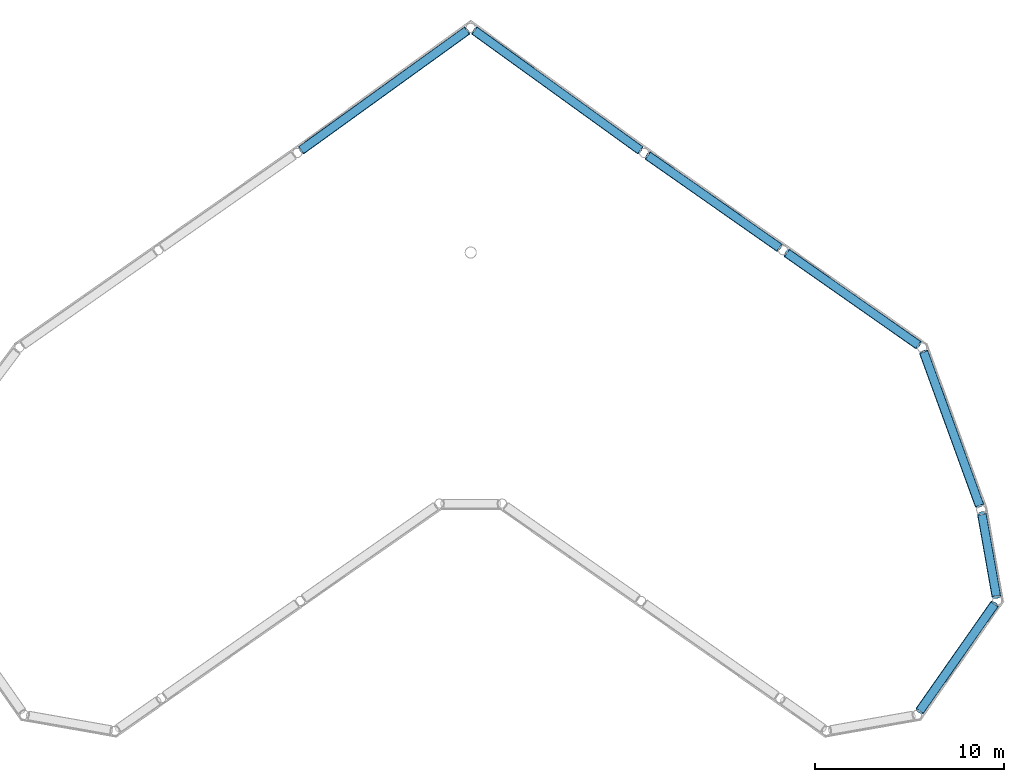
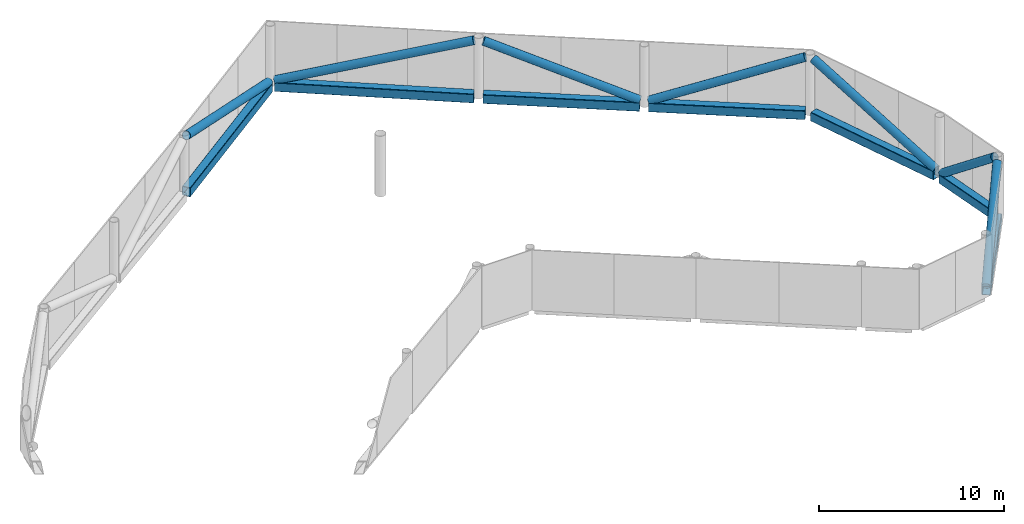
# One storey, part 3 of 4: 7 beams, 7 members.
"""IFC4 building model written with IfcOpenShell, lengths in metres."""

from ifc_helpers import new_model, si_unit, direction, frame, origin, origin_2d, place, context, subcontext, project, spatial, hollow_rectangle, hollow_circle, extrude, material, material_profile, profile_set, type_object, element, save


model = new_model("IFC4")

# Units and contexts
model_context = context("Model", 3, precision=1e-05, world=origin(), true_north=direction((0.0, 1.0)))
body_context = subcontext(model_context, "Body", "Model", "MODEL_VIEW")
ifc_project = project(units=[si_unit("LENGTHUNIT", "METRE"), si_unit("AREAUNIT", "SQUARE_METRE"), si_unit("VOLUMEUNIT", "CUBIC_METRE"), si_unit("PLANEANGLEUNIT", "RADIAN"), si_unit("MASSUNIT", "GRAM", prefix="KILO")], contexts=[model_context])

# Site, building, storey
site_placement = place(None, origin())
site = spatial("IfcSite", under=ifc_project, at=site_placement, CompositionType="ELEMENT")
building_placement = place(site_placement, origin())
building = spatial("IfcBuilding", under=site, at=building_placement, Name="Tel Ilan Convention Tower", CompositionType="ELEMENT")
storey_placement = place(building_placement, frame((0.0, 0.0, 322.800048828125)))
storey = spatial("IfcBuildingStorey", under=building, at=storey_placement, Name="L76", CompositionType="ELEMENT", Elevation=322.800048828125)

# Members
ifc_material_1 = material(Name="Steel S355", Category="steel")
ifc_material_profile_1 = material_profile(ifc_material_1, hollow_circle(Radius=0.25390625, WallThickness=0.01611328125, at=origin_2d()), Name="CHS 508x16")
ifc_profile_set_1 = profile_set([ifc_material_profile_1], Name="Steel S355")
member_type = type_object("IfcMemberType", Name="CROWN FRAME BRACE CHS 508x16", PredefinedType="BRACE", material=ifc_profile_set_1)
member_1_placement = place(storey_placement, frame((23.817626953125, -24.302978515625, 0.300048828125), z_axis=(0.514421702531, 0.734624940888, 0.442375980576), x_axis=(-0.81913539389, 0.573600214851, 0.0)))
element("IfcMember", 1, at=member_1_placement, inside=storey, type_object=member_type, Name="CROWN FRAME brace", PredefinedType="BRACE", context=body_context, shape_type="SweptSolid", body=[
    extrude(hollow_circle(Radius=0.25390625, WallThickness=0.01611328125, at=origin_2d()), origin(), (0.0, 0.0, 1.0), 7.685546875),
])
member_2_placement = place(storey_placement, frame((27.872802734375, -18.198974609375, 3.699951171875), z_axis=(-0.137019267029, 0.777368319025, -0.613941542037), x_axis=(-0.984818960578, -0.173584604405, 0.0)))
element("IfcMember", 2, at=member_2_placement, inside=storey, type_object=member_type, Name="CROWN FRAME brace", PredefinedType="BRACE", context=body_context, shape_type="SweptSolid", body=[
    extrude(hollow_circle(Radius=0.25390625, WallThickness=0.01611328125, at=origin_2d()), origin(), (0.0, 0.0, 1.0), 5.537841796875),
])
member_3_placement = place(storey_placement, frame((26.983154296875, -13.4052734375, 0.300048828125), z_axis=(-0.318502301018, 0.874442667543, 0.36593210494), x_axis=(-0.939612751601, -0.342239502439, 0.0)))
element("IfcMember", 3, at=member_3_placement, inside=storey, type_object=member_type, Name="CROWN FRAME brace", PredefinedType="BRACE", context=body_context, shape_type="SweptSolid", body=[
    extrude(hollow_circle(Radius=0.25390625, WallThickness=0.01611328125, at=origin_2d()), origin(), (0.0, 0.0, 1.0), 9.291015625),
])
member_4_placement = place(storey_placement, frame((23.72900390625, -4.896240234375, 3.699951171875), z_axis=(-0.760425108847, 0.532553791307, -0.371672050604), x_axis=(-0.573647554936, -0.819102241918, 0.0)))
element("IfcMember", 4, at=member_4_placement, inside=storey, type_object=member_type, Name="CROWN FRAME brace", PredefinedType="BRACE", context=body_context, shape_type="SweptSolid", body=[
    extrude(hollow_circle(Radius=0.25390625, WallThickness=0.01611328125, at=origin_2d()), origin(), (0.0, 0.0, 1.0), 9.147705078125),
])
member_5_placement = place(storey_placement, frame((16.35693359375, 0.2666015625, 0.300048828125), z_axis=(-0.760457085565, 0.532488114036, 0.371700725618), x_axis=(-0.573583902989, -0.819146816042, 0.0)))
element("IfcMember", 5, at=member_5_placement, inside=storey, type_object=member_type, Name="CROWN FRAME brace", PredefinedType="BRACE", context=body_context, shape_type="SweptSolid", body=[
    extrude(hollow_circle(Radius=0.25390625, WallThickness=0.01611328125, at=origin_2d()), origin(), (0.0, 0.0, 1.0), 9.14697265625),
])
for number, where, z_axis, x_axis, name in (
    (6, (8.987060546875, 5.431640625, 3.699951171875), (-0.773630892518, 0.558364176575, -0.299540795985), (-0.585236177645, -0.810862883831, 0.0), "CROWN FRAME brace"),
    (7, (-0.2060546875, 11.769287109375, 0.300048828125), (-0.773630892518, -0.558364176575, 0.299540795985), (0.585236177645, -0.810862883831, 0.0), "CROWN FRAME brace"),
):
    element("IfcMember", number, at=place(storey_placement, frame(where, z_axis=z_axis, x_axis=x_axis)), inside=storey, type_object=member_type, Name=name, PredefinedType="BRACE", context=body_context, shape_type="SweptSolid", body=[
        extrude(hollow_circle(Radius=0.25390625, WallThickness=0.01611328125, at=origin_2d()), origin(), (0.0, 0.0, 1.0), 11.350341796875),
    ])

# Beams
ifc_material_2 = material(Name="Steel S355", Category="steel")
ifc_material_profile_2 = material_profile(ifc_material_2, hollow_rectangle(XDim=0.5, YDim=0.60009765625, WallThickness=0.02490234375, InnerFilletRadius=0.02490234375, OuterFilletRadius=0.050048828125, at=origin_2d()), Name="RHS 600x500x25")
ifc_profile_set_2 = profile_set([ifc_material_profile_2], Name="Steel S355")
beam_type = type_object("IfcBeamType", Name="CROWN FRAME RING BEAM RHS 600x500x25", PredefinedType="BEAM", material=ifc_profile_set_2)
beam_1_placement = place(storey_placement, frame((23.817626953125, -24.302978515625, 0.0), z_axis=(0.573600214851, 0.81913539389, 0.0), x_axis=(-0.81913539389, 0.573600214851, 0.0)))
element("IfcBeam", 8, at=beam_1_placement, inside=storey, type_object=beam_type, Name="CROWN FRAME ring beam", PredefinedType="BEAM", context=body_context, shape_type="SweptSolid", body=[
    extrude(hollow_rectangle(XDim=0.5, YDim=0.60009765625, WallThickness=0.02490234375, InnerFilletRadius=0.02490234375, OuterFilletRadius=0.050048828125, at=origin_2d()), origin(), (0.0, 0.0, 1.0), 6.892578125),
])
beam_2_placement = place(storey_placement, frame((27.872802734375, -18.198974609375, 0.0), z_axis=(-0.173584604405, 0.984818960578, 0.0), x_axis=(-0.984818960578, -0.173584604405, 0.0)))
element("IfcBeam", 9, at=beam_2_placement, inside=storey, type_object=beam_type, Name="CROWN FRAME ring beam", PredefinedType="BEAM", context=body_context, shape_type="SweptSolid", body=[
    extrude(hollow_rectangle(XDim=0.5, YDim=0.60009765625, WallThickness=0.02490234375, InnerFilletRadius=0.02490234375, OuterFilletRadius=0.050048828125, at=origin_2d()), origin(), (0.0, 0.0, 1.0), 4.371337890625),
])
beam_3_placement = place(storey_placement, frame((26.983154296875, -13.4052734375, 0.0), z_axis=(-0.342239502439, 0.939612751601, 0.0), x_axis=(-0.939612751601, -0.342239502439, 0.0)))
element("IfcBeam", 10, at=beam_3_placement, inside=storey, type_object=beam_type, Name="CROWN FRAME ring beam", PredefinedType="BEAM", context=body_context, shape_type="SweptSolid", body=[
    extrude(hollow_rectangle(XDim=0.5, YDim=0.60009765625, WallThickness=0.02490234375, InnerFilletRadius=0.02490234375, OuterFilletRadius=0.050048828125, at=origin_2d()), origin(), (0.0, 0.0, 1.0), 8.646728515625),
])
beam_4_placement = place(storey_placement, frame((23.72900390625, -4.896240234375, 0.0), z_axis=(-0.819102241918, 0.573647554936, 0.0), x_axis=(-0.573647554936, -0.819102241918, 0.0)))
element("IfcBeam", 11, at=beam_4_placement, inside=storey, type_object=beam_type, Name="CROWN FRAME ring beam", PredefinedType="BEAM", context=body_context, shape_type="SweptSolid", body=[
    extrude(hollow_rectangle(XDim=0.5, YDim=0.60009765625, WallThickness=0.02490234375, InnerFilletRadius=0.02490234375, OuterFilletRadius=0.050048828125, at=origin_2d()), origin(), (0.0, 0.0, 1.0), 8.4921875),
])
beam_5_placement = place(storey_placement, frame((16.35693359375, 0.2666015625, 0.0), z_axis=(-0.819146816042, 0.573583902989, 0.0), x_axis=(-0.573583902989, -0.819146816042, 0.0)))
element("IfcBeam", 12, at=beam_5_placement, inside=storey, type_object=beam_type, Name="CROWN FRAME ring beam", PredefinedType="BEAM", context=body_context, shape_type="SweptSolid", body=[
    extrude(hollow_rectangle(XDim=0.5, YDim=0.60009765625, WallThickness=0.02490234375, InnerFilletRadius=0.02490234375, OuterFilletRadius=0.050048828125, at=origin_2d()), origin(), (0.0, 0.0, 1.0), 8.491455078125),
])
for number, where, z_axis, x_axis, name in (
    (13, (8.987060546875, 5.431640625, 0.0), (-0.810862883831, 0.585236177645, 0.0), (-0.585236177645, -0.810862883831, 0.0), "CROWN FRAME ring beam"),
    (14, (-0.2060546875, 11.769287109375, 0.0), (-0.810862883831, -0.585236177645, 0.0), (0.585236177645, -0.810862883831, 0.0), "CROWN FRAME ring beam"),
):
    element("IfcBeam", number, at=place(storey_placement, frame(where, z_axis=z_axis, x_axis=x_axis)), inside=storey, type_object=beam_type, Name=name, PredefinedType="BEAM", context=body_context, shape_type="SweptSolid", body=[
        extrude(hollow_rectangle(XDim=0.5, YDim=0.60009765625, WallThickness=0.02490234375, InnerFilletRadius=0.02490234375, OuterFilletRadius=0.050048828125, at=origin_2d()), origin(), (0.0, 0.0, 1.0), 10.8291015625),
    ])

save(model, "model.ifc")
